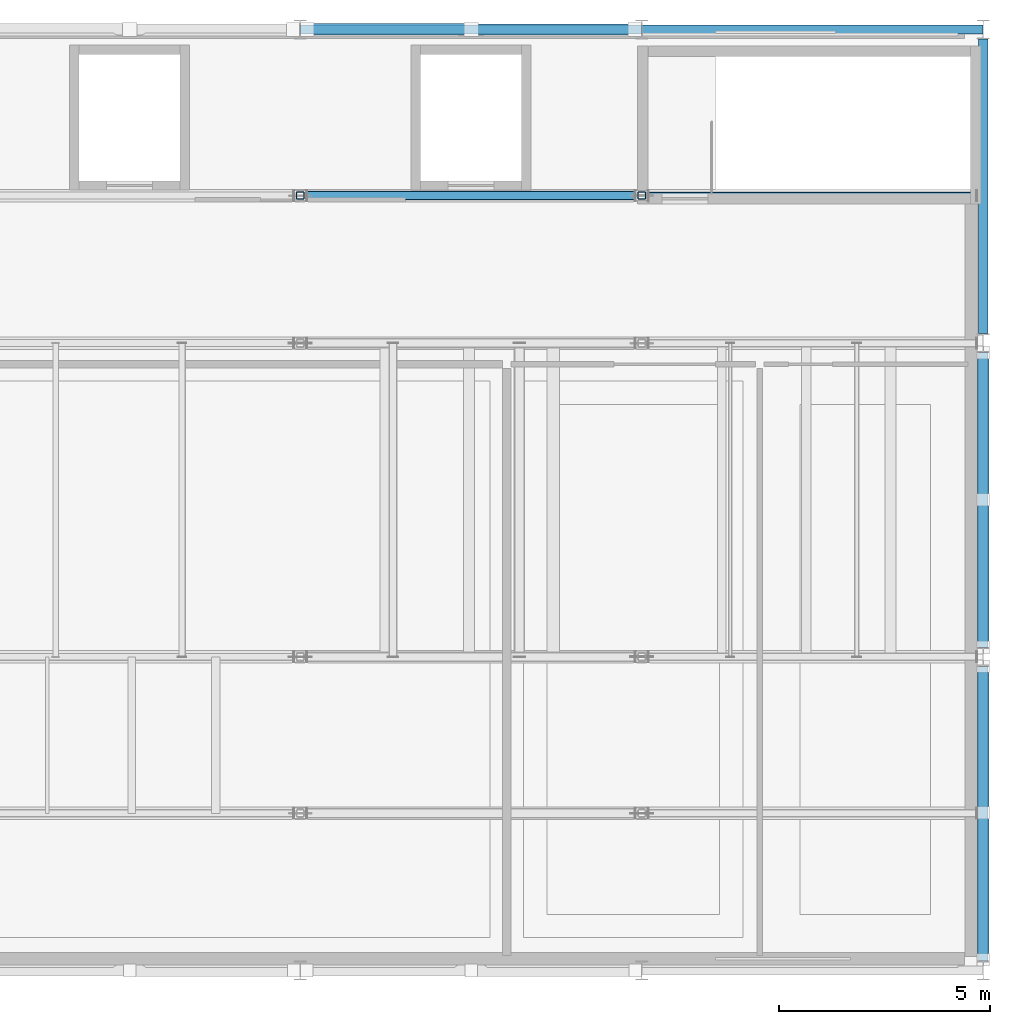
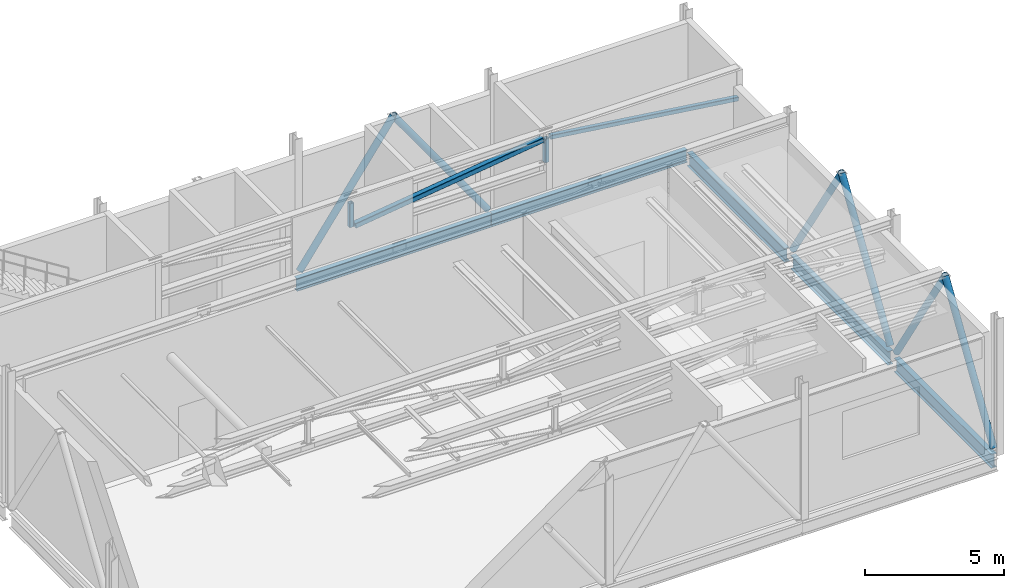
# One storey, part 11 of 21: 10 members, 5 beams.
"""IFC4 building model written with IfcOpenShell, lengths in metres."""

from ifc_helpers import new_model, si_unit, direction, frame, origin, origin_2d, place, context, subcontext, project, spatial, hollow_rectangle, hollow_circle, i_section, extrude, material, material_profile, profile_set, type_object, element, save


model = new_model("IFC4")

# Units and contexts
model_context = context("Model", 3, precision=1e-05, world=origin(), true_north=direction((0.0, 1.0)))
body_context = subcontext(model_context, "Body", "Model", "MODEL_VIEW")
ifc_project = project(units=[si_unit("LENGTHUNIT", "METRE"), si_unit("AREAUNIT", "SQUARE_METRE"), si_unit("VOLUMEUNIT", "CUBIC_METRE"), si_unit("PLANEANGLEUNIT", "RADIAN"), si_unit("MASSUNIT", "GRAM", prefix="KILO")], contexts=[model_context])

# Site, building, storey
site_placement = place(None, origin())
site = spatial("IfcSite", under=ifc_project, at=site_placement, CompositionType="ELEMENT")
building_placement = place(site_placement, origin())
building = spatial("IfcBuilding", under=site, at=building_placement, Name="Kaelora Sail Theatre", CompositionType="ELEMENT")
storey_placement = place(building_placement, frame((0.0, 0.0, 27.60009765625)))
storey = spatial("IfcBuildingStorey", under=building, at=storey_placement, Name="L06", CompositionType="ELEMENT", Elevation=27.60009765625)

# Beams
ifc_material_1 = material(Name="Steel S355", Category="steel")
ifc_material_profile_1 = material_profile(ifc_material_1, i_section(OverallWidth=0.2099609375, OverallDepth=0.550048828125, WebThickness=0.010986328125, FlangeThickness=0.01708984375, FilletRadius=0.02392578125, at=origin_2d()), Name="IPE 550")
ifc_profile_set_1 = profile_set([ifc_material_profile_1], Name="Steel S355")
beam_type_1 = type_object("IfcBeamType", Name="STR-BM-BM-IPE550", PredefinedType="USERDEFINED", material=ifc_profile_set_1)
for number, where, z_axis, x_axis, name in (
    (1, (42.009033203125, 83.340087890625, -0.4951171875), (1.0, 0.0, 0.0), (0.0, 1.0, 0.0), "Primary beam L 6-7 (L06)"),
    (2, (50.10888671875, 83.340087890625, -0.4951171875), (1.0, 0.0, 0.0), (0.0, 1.0, 0.0), "Primary beam L 7-8 (L06)"),
):
    element("IfcBeam", number, at=place(storey_placement, frame(where, z_axis=z_axis, x_axis=x_axis)), inside=storey, type_object=beam_type_1, Name=name, ObjectType="GIRDER", PredefinedType="USERDEFINED", context=body_context, shape_type="SweptSolid", body=[
        extrude(i_section(OverallWidth=0.2099609375, OverallDepth=0.550048828125, WebThickness=0.010986328125, FlangeThickness=0.01708984375, FilletRadius=0.02392578125, at=origin_2d()), origin(), (0.0, 0.0, 1.0), 8.08203125),
    ])
ifc_material_2 = material(Name="Steel S355", Category="steel")
ifc_material_profile_2 = material_profile(ifc_material_2, i_section(OverallWidth=0.219970703125, OverallDepth=0.60009765625, WebThickness=0.011962890625, FlangeThickness=0.01904296875, FilletRadius=0.02392578125, at=origin_2d()), Name="IPE 600")
ifc_profile_set_2 = profile_set([ifc_material_profile_2], Name="Steel S355")
beam_type_2 = type_object("IfcBeamType", Name="STR-BM-BM-IPE600", PredefinedType="USERDEFINED", material=ifc_profile_set_2)
for number, where, z_axis, x_axis, name in (
    (3, (58.199951171875, 61.2451171875, -0.52001953125), (0.0, 1.0, 0.0), (-1.0, 0.0, 0.0), "Primary beam 8 I-J (L06)"),
    (4, (58.199951171875, 68.68505859375, -0.52001953125), (0.0, 1.0, 0.0), (-1.0, 0.0, 0.0), "Primary beam 8 J-K (L06)"),
    (5, (58.199951171875, 76.125, -0.52001953125), (0.0, 1.0, 0.0), (-1.0, 0.0, 0.0), "Primary beam 8 K-L (L06)"),
):
    element("IfcBeam", number, at=place(storey_placement, frame(where, z_axis=z_axis, x_axis=x_axis)), inside=storey, type_object=beam_type_2, Name=name, ObjectType="GIRDER", PredefinedType="USERDEFINED", context=body_context, shape_type="SweptSolid", body=[
        extrude(i_section(OverallWidth=0.219970703125, OverallDepth=0.60009765625, WebThickness=0.011962890625, FlangeThickness=0.01904296875, FilletRadius=0.02392578125, at=origin_2d()), origin(), (0.0, 0.0, 1.0), 6.989990234375),
    ])

# Members
ifc_material_3 = material(Name="Steel S355", Category="steel")
ifc_material_profile_3 = material_profile(ifc_material_3, hollow_circle(Radius=0.136474609375, WallThickness=0.012451171875, at=origin_2d()), Name="CHS 273.0x12.5")
ifc_profile_set_3 = profile_set([ifc_material_profile_3], Name="Steel S355")
member_type_1 = type_object("IfcMemberType", Name="STR-MEM-BR-CHS273", PredefinedType="BRACE", material=ifc_profile_set_3)
for number, where, z_axis, x_axis, name in (
    (6, (58.199951171875, 61.280029296875, 0.02001953125), (0.0, 0.5379731687, 0.842961962225), (-1.0, 0.0, 0.0), "Fly Tower chevron brace L06 ES1"),
    (7, (58.199951171875, 68.22998046875, 0.02001953125), (0.0, -0.53800002628, 0.84294482128), (1.0, 0.0, 0.0), "Fly Tower chevron brace L06 ES2"),
):
    element("IfcMember", number, at=place(storey_placement, frame(where, z_axis=z_axis, x_axis=x_axis)), inside=storey, type_object=member_type_1, Name=name, PredefinedType="BRACE", context=body_context, shape_type="SweptSolid", body=[
        extrude(hollow_circle(Radius=0.136474609375, WallThickness=0.012451171875, at=origin_2d()), origin(), (0.0, 0.0, 1.0), 6.459228515625),
    ])
for number, where, z_axis, x_axis, name in (
    (8, (58.199951171875, 68.68994140625, 0.02001953125), (0.0, 0.539635242444, 0.841898928086), (-1.0, 0.0, 0.0), "Fly Tower chevron brace L06 EM1"),
    (9, (58.199951171875, 75.669921875, 0.02001953125), (0.0, -0.539635242444, 0.841898928086), (1.0, 0.0, 0.0), "Fly Tower chevron brace L06 EM2"),
):
    element("IfcMember", number, at=place(storey_placement, frame(where, z_axis=z_axis, x_axis=x_axis)), inside=storey, type_object=member_type_1, Name=name, PredefinedType="BRACE", context=body_context, shape_type="SweptSolid", body=[
        extrude(hollow_circle(Radius=0.136474609375, WallThickness=0.012451171875, at=origin_2d()), origin(), (0.0, 0.0, 1.0), 6.46728515625),
    ])
for number, where, z_axis, x_axis, name in (
    (10, (42.159912109375, 83.340087890625, 0.02001953125), (0.581334822713, 0.0, 0.813664441832), (0.0, 1.0, 0.0), "Fly Tower north chevron brace L06 N3-1"),
    (11, (49.93994140625, 83.340087890625, 0.02001953125), (-0.58131066777, 0.0, 0.813681699153), (0.0, -1.0, 0.0), "Fly Tower north chevron brace L06 N3-2"),
):
    element("IfcMember", number, at=place(storey_placement, frame(where, z_axis=z_axis, x_axis=x_axis)), inside=storey, type_object=member_type_1, Name=name, PredefinedType="BRACE", context=body_context, shape_type="SweptSolid", body=[
        extrude(hollow_circle(Radius=0.136474609375, WallThickness=0.012451171875, at=origin_2d()), origin(), (0.0, 0.0, 1.0), 6.691650390625),
    ])
ifc_material_4 = material(Name="Steel S355", Category="steel")
ifc_material_profile_4 = material_profile(ifc_material_4, hollow_rectangle(XDim=0.179931640625, YDim=0.179931640625, WallThickness=0.010009765625, InnerFilletRadius=0.010009765625, OuterFilletRadius=0.02001953125, at=origin_2d()), Name="SHS 180x180x10.0")
ifc_profile_set_4 = profile_set([ifc_material_profile_4], Name="Steel S355")
member_type_2 = type_object("IfcMemberType", Name="STR-MEM-ST-SHS180", PredefinedType="STRUT", material=ifc_profile_set_4)
member_1_placement = place(storey_placement, frame((50.260009765625, 79.39990234375, 5.469970703125), z_axis=(0.99118274936, 0.0, -0.132501914591), x_axis=(0.0, 1.0, 0.0)))
element("IfcMember", 12, at=member_1_placement, inside=storey, type_object=member_type_2, Name="TDG-01 Fly Tower truss 4 web diagonal 4", PredefinedType="STRUT", context=body_context, shape_type="SweptSolid", body=[
    extrude(hollow_rectangle(XDim=0.179931640625, YDim=0.179931640625, WallThickness=0.010009765625, InnerFilletRadius=0.010009765625, OuterFilletRadius=0.02001953125, at=origin_2d()), origin(), (0.0, 0.0, 1.0), 7.84912109375),
])
for number, where, z_axis, x_axis, name in (
    (13, (42.0, 79.39990234375, 4.429931640625), (0.0, 0.0, 1.0), (1.0, 0.0, 0.0), "TVT-01 Fly Tower truss 4 vertical strut 2"),
    (14, (50.10009765625, 79.39990234375, 4.429931640625), (0.0, 0.0, 1.0), (1.0, 0.0, 0.0), "TVT-01 Fly Tower truss 4 vertical strut 3"),
):
    element("IfcMember", number, at=place(storey_placement, frame(where, z_axis=z_axis, x_axis=x_axis)), inside=storey, type_object=member_type_2, Name=name, PredefinedType="STRUT", context=body_context, shape_type="SweptSolid", body=[
        extrude(hollow_rectangle(XDim=0.179931640625, YDim=0.179931640625, WallThickness=0.010009765625, InnerFilletRadius=0.010009765625, OuterFilletRadius=0.02001953125, at=origin_2d()), origin(), (0.0, 0.0, 1.0), 1.0400390625),
    ])
ifc_material_5 = material(Name="Steel S355", Category="steel")
ifc_material_profile_5 = material_profile(ifc_material_5, hollow_rectangle(XDim=0.219970703125, YDim=0.219970703125, WallThickness=0.012451171875, InnerFilletRadius=0.012451171875, OuterFilletRadius=0.02490234375, at=origin_2d()), Name="SHS 220x220x12.5")
ifc_profile_set_5 = profile_set([ifc_material_profile_5], Name="Steel S355")
member_type_3 = type_object("IfcMemberType", Name="STR-MEM-ST-SHS220", PredefinedType="STRUT", material=ifc_profile_set_5)
member_2_placement = place(storey_placement, frame((42.159912109375, 79.39990234375, 4.429931640625), z_axis=(0.99118274936, 0.0, 0.132501914591), x_axis=(0.0, 1.0, 0.0)))
element("IfcMember", 15, at=member_2_placement, inside=storey, type_object=member_type_3, Name="TDG-01 Fly Tower truss 4 web diagonal 3", PredefinedType="STRUT", context=body_context, shape_type="SweptSolid", body=[
    extrude(hollow_rectangle(XDim=0.219970703125, YDim=0.219970703125, WallThickness=0.012451171875, InnerFilletRadius=0.012451171875, OuterFilletRadius=0.02490234375, at=origin_2d()), origin(), (0.0, 0.0, 1.0), 7.84912109375),
])

save(model, "model.ifc")
